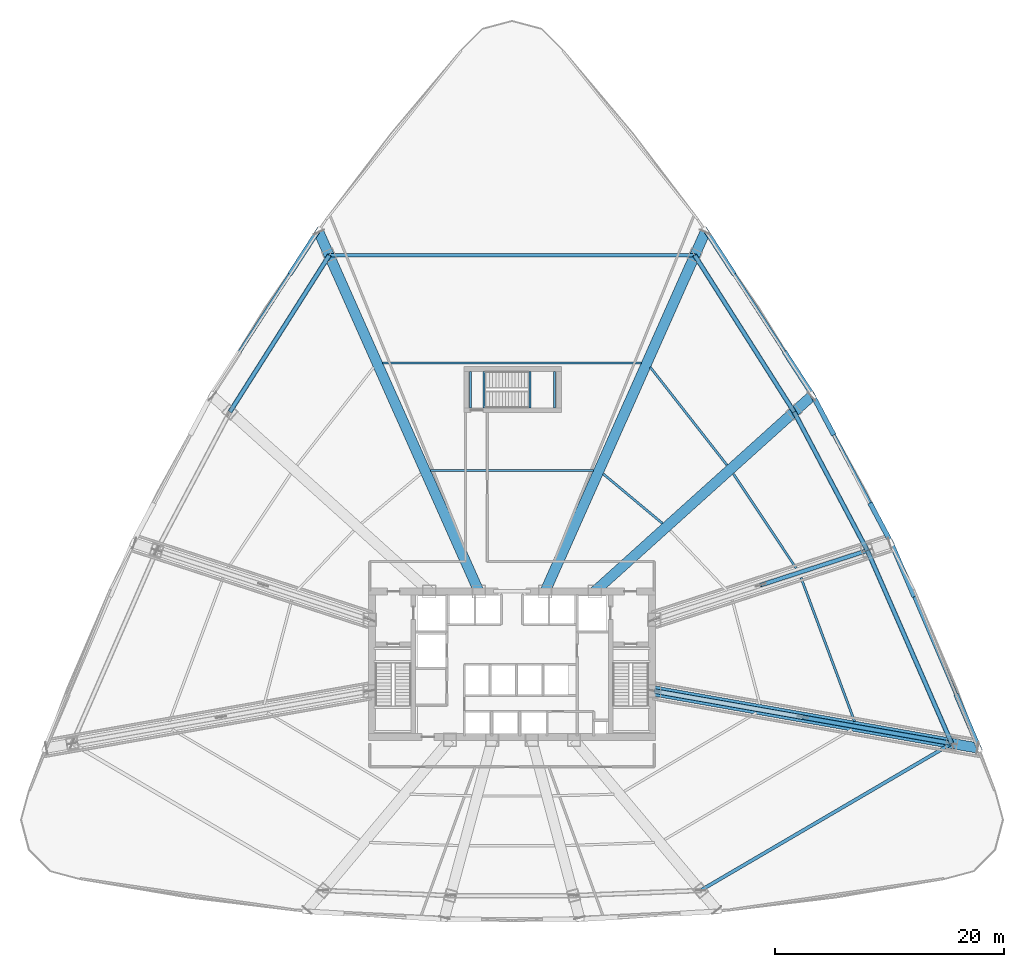
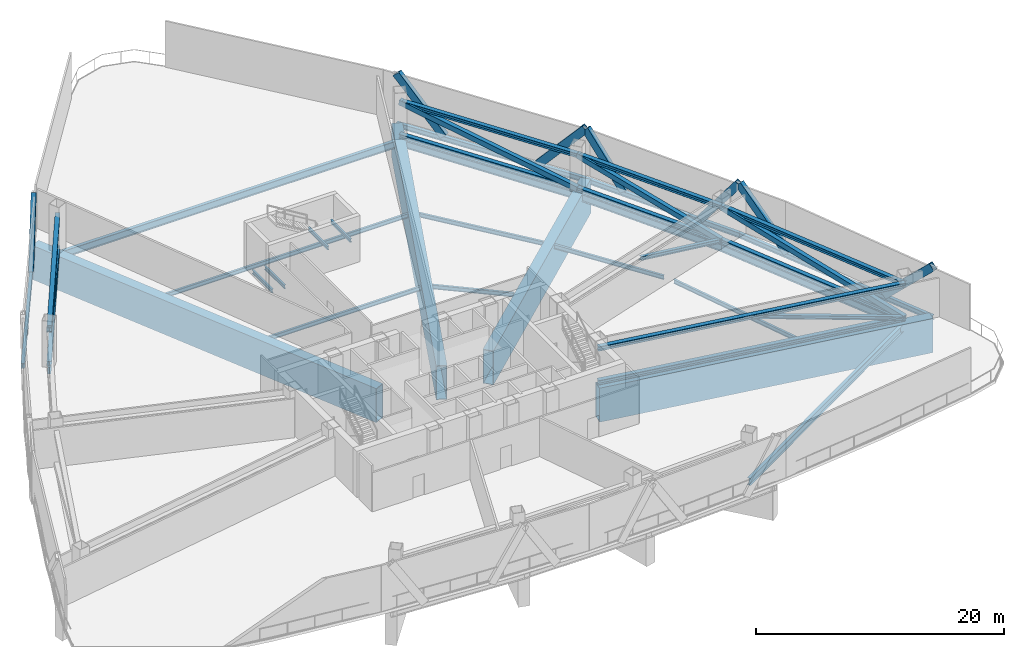
# One storey, part 3 of 17: 24 beams, 23 members.
"""IFC4 building model written with IfcOpenShell, lengths in metres."""

from ifc_helpers import new_model, si_unit, direction, frame, origin, origin_2d, place, context, subcontext, project, spatial, hollow_rectangle, i_section, extrude, source, transform, mapped, material, material_profile, profile_set, type_object, element, save


model = new_model("IFC4")

# Units and contexts
model_context = context("Model", 3, precision=1e-05, world=origin(), true_north=direction((0.0, 1.0)))
body_context = subcontext(model_context, "Body", "Model", "MODEL_VIEW")
ifc_project = project(units=[si_unit("LENGTHUNIT", "METRE"), si_unit("AREAUNIT", "SQUARE_METRE"), si_unit("VOLUMEUNIT", "CUBIC_METRE"), si_unit("PLANEANGLEUNIT", "RADIAN"), si_unit("MASSUNIT", "GRAM", prefix="KILO"), si_unit("THERMODYNAMICTEMPERATUREUNIT", "KELVIN"), si_unit("POWERUNIT", "WATT")], contexts=[model_context])

# Site, building, storey
site_placement = place(None, origin())
site = spatial("IfcSite", under=ifc_project, at=site_placement, CompositionType="ELEMENT")
building_placement = place(site_placement, origin())
building = spatial("IfcBuilding", under=site, at=building_placement, Name="Yunzhuo Pagoda Commons", CompositionType="ELEMENT")
storey_placement = place(building_placement, frame((0.0, 0.0, 76.3798828125)))
storey = spatial("IfcBuildingStorey", under=building, at=storey_placement, Name="L19", CompositionType="ELEMENT", Elevation=76.3798828125)

# Beams
ifc_material_1 = material(Name="Structural steel Q355B", Category="steel")
ifc_material_profile_1 = material_profile(ifc_material_1, i_section(OverallWidth=0.175048828125, OverallDepth=0.35009765625, WebThickness=0.007080078125, FlangeThickness=0.010986328125, at=origin_2d()), Name="Structural steel Q355B")
ifc_profile_set_1 = profile_set([ifc_material_profile_1], Name="Structural steel Q355B")
beam_type_1 = type_object("IfcBeamType", Name="B-JS2 Joist HN 350x175x7x11", PredefinedType="JOIST", material=ifc_profile_set_1)
shared_shape_1 = source(origin(), body_context, "Body", "SweptSolid", [
    extrude(i_section(OverallWidth=0.175048828125, OverallDepth=0.35009765625, WebThickness=0.007080078125, FlangeThickness=0.010986328125, at=origin_2d()), origin(), (0.0, 0.0, 1.0), 3.199951171875),
])
for number, where, z_axis, x_axis, name in (
    (1, (49.590087890625, 56.199951171875, 2.025146484375), (0.0, 1.0, 0.0), (-1.0, 0.0, 0.0), "L19 ST3 landing support beam 25A"),
    (2, (51.699951171875, 56.199951171875, 2.025146484375), (0.0, 1.0, 0.0), (-1.0, 0.0, 0.0), "L19 ST3 landing support beam 25B"),
    (3, (44.39990234375, 56.199951171875, -0.375), (0.0, 1.0, 0.0), (-1.0, 0.0, 0.0), "L19 ST3 landing support beam 93A"),
    (4, (45.550048828125, 56.199951171875, -0.375), (0.0, 1.0, 0.0), (-1.0, 0.0, 0.0), "L19 ST3 landing support beam 93B"),
):
    element("IfcBeam", number, at=place(storey_placement, frame(where, z_axis=z_axis, x_axis=x_axis)), inside=storey, type_object=beam_type_1, Name=name, PredefinedType="JOIST", context=body_context, shape_type="MappedRepresentation", body=[
        mapped(shared_shape_1, transform((0.0, 0.0, 0.0), scale=1.0)),
    ])
ifc_material_2 = material(Name="Structural steel Q420B", Category="steel")
ifc_material_profile_2 = material_profile(ifc_material_2, hollow_rectangle(XDim=0.89990234375, YDim=3.35009765625, WallThickness=0.048095703125, at=origin_2d()), Name="Structural steel Q420B")
ifc_profile_set_2 = profile_set([ifc_material_profile_2], Name="Structural steel Q420B")
beam_type_2 = type_object("IfcBeamType", Name="BTR-2 Beam BOX 3350x900x48", PredefinedType="BEAM", material=ifc_profile_set_2)
shared_shape_2 = source(origin(), body_context, "Body", "SweptSolid", [
    extrude(hollow_rectangle(XDim=0.89990234375, YDim=3.35009765625, WallThickness=0.048095703125, at=origin_2d()), origin(), (0.0, 0.0, 1.0), 28.625),
])
beam_1_placement = place(storey_placement, frame((88.590087890625, 26.54296875, -1.954833984375), z_axis=(-0.984809134913, 0.173640340337, 0.0), x_axis=(-0.173640340337, -0.984809134913, 0.0)))
element("IfcBeam", 5, at=beam_1_placement, inside=storey, type_object=beam_type_2, Name="BTR-2 L19 collinear transfer girder F2C1", PredefinedType="BEAM", context=body_context, shape_type="MappedRepresentation", body=[
    mapped(shared_shape_2, transform((0.0, 0.0, 0.0), scale=1.0)),
])
shared_shape_3 = source(origin(), body_context, "Body", "SweptSolid", [
    extrude(hollow_rectangle(XDim=0.89990234375, YDim=3.35009765625, WallThickness=0.048095703125, at=origin_2d()), origin(), (0.0, 0.0, 1.0), 25.4130859375),
])
beam_2_placement = place(storey_placement, frame((74.1044921875, 57.20458984375, -1.954833984375), z_axis=(-0.743143654342, -0.669131907034, 0.0), x_axis=(0.669131907034, -0.743143654342, 0.0)))
element("IfcBeam", 6, at=beam_2_placement, inside=storey, type_object=beam_type_2, Name="BTR-2 L19 collinear transfer girder F2C3", PredefinedType="BEAM", context=body_context, shape_type="MappedRepresentation", body=[
    mapped(shared_shape_3, transform((0.0, 0.0, 0.0), scale=1.0)),
])
shared_shape_4 = source(origin(), body_context, "Body", "SweptSolid", [
    extrude(hollow_rectangle(XDim=0.89990234375, YDim=3.35009765625, WallThickness=0.048095703125, at=origin_2d()), origin(), (0.0, 0.0, 1.0), 34.2900390625),
])
beam_3_placement = place(storey_placement, frame((64.84130859375, 71.525390625, -1.954833984375), z_axis=(-0.406743491902, -0.913542408318, 0.0), x_axis=(0.913542408318, -0.406743491902, 0.0)))
element("IfcBeam", 7, at=beam_3_placement, inside=storey, type_object=beam_type_2, Name="BTR-2 L19 collinear transfer girder F2C4", PredefinedType="BEAM", context=body_context, shape_type="MappedRepresentation", body=[
    mapped(shared_shape_4, transform((0.0, 0.0, 0.0), scale=1.0)),
])
shared_shape_5 = source(origin(), body_context, "Body", "SweptSolid", [
    extrude(hollow_rectangle(XDim=0.89990234375, YDim=3.35009765625, WallThickness=0.048095703125, at=origin_2d()), origin(), (0.0, 0.0, 1.0), 34.289794921875),
])
beam_4_placement = place(storey_placement, frame((31.1591796875, 71.525390625, -1.954833984375), z_axis=(0.406731607898, -0.913547699432, 0.0), x_axis=(0.913547699432, 0.406731607898, 0.0)))
element("IfcBeam", 8, at=beam_4_placement, inside=storey, type_object=beam_type_2, Name="BTR-2 L19 collinear transfer girder F3C1", PredefinedType="BEAM", context=body_context, shape_type="MappedRepresentation", body=[
    mapped(shared_shape_5, transform((0.0, 0.0, 0.0), scale=1.0)),
])
ifc_material_profile_3 = material_profile(ifc_material_1, i_section(OverallWidth=0.300048828125, OverallDepth=0.488037109375, WebThickness=0.010986328125, FlangeThickness=0.01806640625, at=origin_2d()), Name="Structural steel Q355B")
ifc_profile_set_3 = profile_set([ifc_material_profile_3], Name="Structural steel Q355B")
beam_type_3 = type_object("IfcBeamType", Name="B-SP1 Beam HM 488x300x11x18", PredefinedType="BEAM", material=ifc_profile_set_3)
shared_shape_6 = source(origin(), body_context, "Body", "SweptSolid", [
    extrude(i_section(OverallWidth=0.300048828125, OverallDepth=0.488037109375, WebThickness=0.010986328125, FlangeThickness=0.01806640625, at=origin_2d()), origin(), (0.0, 0.0, 1.0), 19.502685546875),
])
beam_5_placement = place(storey_placement, frame((88.742919921875, 26.515869140625, -0.52392578125), z_axis=(-0.393662442568, 0.91925506869, 0.0), x_axis=(-0.91925506869, -0.393662442568, 0.0)))
element("IfcBeam", 9, at=beam_5_placement, inside=storey, type_object=beam_type_3, Name="L19 facade edge spandrel beam F2.1", PredefinedType="BEAM", context=body_context, shape_type="MappedRepresentation", body=[
    mapped(shared_shape_6, transform((0.0, 0.0, 0.0), scale=1.0)),
])
shared_shape_7 = source(origin(), body_context, "Body", "SweptSolid", [
    extrude(i_section(OverallWidth=0.300048828125, OverallDepth=0.488037109375, WebThickness=0.010986328125, FlangeThickness=0.01806640625, at=origin_2d()), origin(), (0.0, 0.0, 1.0), 14.572509765625),
])
beam_6_placement = place(storey_placement, frame((81.0654296875, 44.44384765625, -0.52392578125), z_axis=(-0.469767169818, 0.882790352327, 0.0), x_axis=(-0.882790352327, -0.469767169818, 0.0)))
element("IfcBeam", 10, at=beam_6_placement, inside=storey, type_object=beam_type_3, Name="L19 facade edge spandrel beam F2.2", PredefinedType="BEAM", context=body_context, shape_type="MappedRepresentation", body=[
    mapped(shared_shape_7, transform((0.0, 0.0, 0.0), scale=1.0)),
])
shared_shape_8 = source(origin(), body_context, "Body", "SweptSolid", [
    extrude(i_section(OverallWidth=0.300048828125, OverallDepth=0.488037109375, WebThickness=0.010986328125, FlangeThickness=0.01806640625, at=origin_2d()), origin(), (0.0, 0.0, 1.0), 17.115966796875),
])
for number, where, z_axis, x_axis, name in (
    (11, (74.2197265625, 57.308349609375, -0.52392578125), (-0.544271692391, 0.83890900869, 0.0), (-0.83890900869, -0.544271692391, 0.0), "L19 facade edge spandrel beam F2.3"),
    (12, (31.095947265625, 71.6669921875, -0.52392578125), (-0.544271692391, -0.83890900869, 0.0), (0.83890900869, -0.544271692391, 0.0), "L19 facade edge spandrel beam F3.1"),
):
    element("IfcBeam", number, at=place(storey_placement, frame(where, z_axis=z_axis, x_axis=x_axis)), inside=storey, type_object=beam_type_3, Name=name, PredefinedType="BEAM", context=body_context, shape_type="MappedRepresentation", body=[
        mapped(shared_shape_8, transform((0.0, 0.0, 0.0), scale=1.0)),
    ])
ifc_material_profile_4 = material_profile(ifc_material_1, i_section(OverallWidth=0.300048828125, OverallDepth=0.699951171875, WebThickness=0.012939453125, FlangeThickness=0.02392578125, at=origin_2d()), Name="Structural steel Q355B")
ifc_profile_set_4 = profile_set([ifc_material_profile_4], Name="Structural steel Q355B")
beam_type_4 = type_object("IfcBeamType", Name="B-RG1 Beam HN 700x300x13x24", PredefinedType="BEAM", material=ifc_profile_set_4)
shared_shape_9 = source(origin(), body_context, "Body", "SweptSolid", [
    extrude(i_section(OverallWidth=0.300048828125, OverallDepth=0.699951171875, WebThickness=0.012939453125, FlangeThickness=0.02392578125, at=origin_2d()), origin(), (0.0, 0.0, 1.0), 25.3935546875),
])
beam_7_placement = place(storey_placement, frame((64.43603515625, 14.1123046875, -0.6298828125), z_axis=(0.863085207128, 0.505058338449, 0.0), x_axis=(-0.505058338449, 0.863085207128, 0.0)))
element("IfcBeam", 13, at=beam_7_placement, inside=storey, type_object=beam_type_4, Name="L19 column-ring beam 4", PredefinedType="BEAM", context=body_context, shape_type="MappedRepresentation", body=[
    mapped(shared_shape_9, transform((0.0, 0.0, 0.0), scale=1.0)),
])
shared_shape_10 = source(origin(), body_context, "Body", "SweptSolid", [
    extrude(i_section(OverallWidth=0.300048828125, OverallDepth=0.699951171875, WebThickness=0.012939453125, FlangeThickness=0.02392578125, at=origin_2d()), origin(), (0.0, 0.0, 1.0), 18.37158203125),
])
beam_8_placement = place(storey_placement, frame((86.352783203125, 26.9375, -0.6298828125), z_axis=(-0.400729599795, 0.916196369698, 0.0), x_axis=(-0.916196369698, -0.400729599795, 0.0)))
element("IfcBeam", 14, at=beam_8_placement, inside=storey, type_object=beam_type_4, Name="L19 column-ring beam 5", PredefinedType="BEAM", context=body_context, shape_type="MappedRepresentation", body=[
    mapped(shared_shape_10, transform((0.0, 0.0, 0.0), scale=1.0)),
])
ifc_material_profile_5 = material_profile(ifc_material_1, i_section(OverallWidth=0.199951171875, OverallDepth=0.39990234375, WebThickness=0.008056640625, FlangeThickness=0.012939453125, at=origin_2d()), Name="Structural steel Q355B")
ifc_profile_set_5 = profile_set([ifc_material_profile_5], Name="Structural steel Q355B")
beam_type_5 = type_object("IfcBeamType", Name="B-JS1 Joist HN 400x200x8x13", PredefinedType="JOIST", material=ifc_profile_set_5)
shared_shape_11 = source(origin(), body_context, "Body", "SweptSolid", [
    extrude(i_section(OverallWidth=0.199951171875, OverallDepth=0.39990234375, WebThickness=0.008056640625, FlangeThickness=0.012939453125, at=origin_2d()), origin(), (0.0, 0.0, 1.0), 13.38330078125),
])
beam_9_placement = place(storey_placement, frame((77.88134765625, 28.8486328125, -0.47998046875), z_axis=(-0.349171527056, 0.937058826698, 0.0), x_axis=(-0.937058826698, -0.349171527056, 0.0)))
element("IfcBeam", 15, at=beam_9_placement, inside=storey, type_object=beam_type_5, Name="L19 composite ring joist 2.5", PredefinedType="JOIST", context=body_context, shape_type="MappedRepresentation", body=[
    mapped(shared_shape_11, transform((0.0, 0.0, 0.0), scale=1.0)),
])
shared_shape_12 = source(origin(), body_context, "Body", "SweptSolid", [
    extrude(i_section(OverallWidth=0.300048828125, OverallDepth=0.699951171875, WebThickness=0.012939453125, FlangeThickness=0.02392578125, at=origin_2d()), origin(), (0.0, 0.0, 1.0), 13.66748046875),
])
beam_10_placement = place(storey_placement, frame((78.99072265625, 43.76953125, -0.6298828125), z_axis=(-0.467383716456, 0.88405455804, 0.0), x_axis=(-0.88405455804, -0.467383716456, 0.0)))
element("IfcBeam", 16, at=beam_10_placement, inside=storey, type_object=beam_type_4, Name="L19 column-ring beam 6", PredefinedType="BEAM", context=body_context, shape_type="MappedRepresentation", body=[
    mapped(shared_shape_12, transform((0.0, 0.0, 0.0), scale=1.0)),
])
shared_shape_13 = source(origin(), body_context, "Body", "SweptSolid", [
    extrude(i_section(OverallWidth=0.199951171875, OverallDepth=0.39990234375, WebThickness=0.008056640625, FlangeThickness=0.012939453125, at=origin_2d()), origin(), (0.0, 0.0, 1.0), 9.86962890625),
])
beam_11_placement = place(storey_placement, frame((72.777099609375, 42.2333984375, -0.47998046875), z_axis=(-0.554494675597, 0.832187271433, 0.0), x_axis=(-0.832187271433, -0.554494675597, 0.0)))
element("IfcBeam", 17, at=beam_11_placement, inside=storey, type_object=beam_type_5, Name="L19 composite ring joist 2.6", PredefinedType="JOIST", context=body_context, shape_type="MappedRepresentation", body=[
    mapped(shared_shape_13, transform((0.0, 0.0, 0.0), scale=1.0)),
])
shared_shape_14 = source(origin(), body_context, "Body", "SweptSolid", [
    extrude(i_section(OverallWidth=0.300048828125, OverallDepth=0.699951171875, WebThickness=0.012939453125, FlangeThickness=0.02392578125, at=origin_2d()), origin(), (0.0, 0.0, 1.0), 16.16845703125),
])
for number, where, z_axis, x_axis, name in (
    (18, (72.602783203125, 55.852294921875, -0.6298828125), (-0.535695673154, 0.844411123662, 0.0), (-0.844411123662, -0.535695673154, 0.0), "L19 column-ring beam 7"),
    (19, (32.05859375, 69.505126953125, -0.6298828125), (-0.535695673154, -0.844411123662, 0.0), (0.844411123662, -0.535695673154, 0.0), "L19 column-ring beam 9"),
):
    element("IfcBeam", number, at=place(storey_placement, frame(where, z_axis=z_axis, x_axis=x_axis)), inside=storey, type_object=beam_type_4, Name=name, PredefinedType="BEAM", context=body_context, shape_type="MappedRepresentation", body=[
        mapped(shared_shape_14, transform((0.0, 0.0, 0.0), scale=1.0)),
    ])
shared_shape_15 = source(origin(), body_context, "Body", "SweptSolid", [
    extrude(i_section(OverallWidth=0.199951171875, OverallDepth=0.39990234375, WebThickness=0.008056640625, FlangeThickness=0.012939453125, at=origin_2d()), origin(), (0.0, 0.0, 1.0), 6.71435546875),
])
beam_12_placement = place(storey_placement, frame((61.111083984375, 46.140625, -0.47998046875), z_axis=(-0.767589051667, 0.640942312351, 0.0), x_axis=(-0.640942312351, -0.767589051667, 0.0)))
element("IfcBeam", 20, at=beam_12_placement, inside=storey, type_object=beam_type_5, Name="L19 composite ring joist 1.7", PredefinedType="JOIST", context=body_context, shape_type="MappedRepresentation", body=[
    mapped(shared_shape_15, transform((0.0, 0.0, 0.0), scale=1.0)),
])
shared_shape_16 = source(origin(), body_context, "Body", "SweptSolid", [
    extrude(i_section(OverallWidth=0.199951171875, OverallDepth=0.39990234375, WebThickness=0.008056640625, FlangeThickness=0.012939453125, at=origin_2d()), origin(), (0.0, 0.0, 1.0), 10.83984375),
])
beam_13_placement = place(storey_placement, frame((66.745849609375, 51.218994140625, -0.47998046875), z_axis=(-0.616727806891, 0.787176480979, 0.0), x_axis=(-0.787176480979, -0.616727806891, 0.0)))
element("IfcBeam", 21, at=beam_13_placement, inside=storey, type_object=beam_type_5, Name="L19 composite ring joist 2.7", PredefinedType="JOIST", context=body_context, shape_type="MappedRepresentation", body=[
    mapped(shared_shape_16, transform((0.0, 0.0, 0.0), scale=1.0)),
])
shared_shape_17 = source(origin(), body_context, "Body", "SweptSolid", [
    extrude(i_section(OverallWidth=0.300048828125, OverallDepth=0.699951171875, WebThickness=0.012939453125, FlangeThickness=0.02392578125, at=origin_2d()), origin(), (0.0, 0.0, 1.0), 31.8828125),
])
beam_14_placement = place(storey_placement, frame((63.94140625, 69.505126953125, -0.6298828125), z_axis=(-1.0, 0.0, 0.0), x_axis=(0.0, -1.0, 0.0)))
element("IfcBeam", 22, at=beam_14_placement, inside=storey, type_object=beam_type_4, Name="L19 column-ring beam 8", PredefinedType="BEAM", context=body_context, shape_type="MappedRepresentation", body=[
    mapped(shared_shape_17, transform((0.0, 0.0, 0.0), scale=1.0)),
])
shared_shape_18 = source(origin(), body_context, "Body", "SweptSolid", [
    extrude(i_section(OverallWidth=0.199951171875, OverallDepth=0.39990234375, WebThickness=0.008056640625, FlangeThickness=0.012939453125, at=origin_2d()), origin(), (0.0, 0.0, 1.0), 14.22802734375),
])
beam_15_placement = place(storey_placement, frame((55.114013671875, 50.749755859375, -0.47998046875), z_axis=(-1.0, 0.0, 0.0), x_axis=(0.0, -1.0, 0.0)))
element("IfcBeam", 23, at=beam_15_placement, inside=storey, type_object=beam_type_5, Name="L19 composite ring joist 1.8", PredefinedType="JOIST", context=body_context, shape_type="MappedRepresentation", body=[
    mapped(shared_shape_18, transform((0.0, 0.0, 0.0), scale=1.0)),
])
shared_shape_19 = source(origin(), body_context, "Body", "SweptSolid", [
    extrude(i_section(OverallWidth=0.199951171875, OverallDepth=0.39990234375, WebThickness=0.008056640625, FlangeThickness=0.012939453125, at=origin_2d()), origin(), (0.0, 0.0, 1.0), 22.57861328125),
])
beam_16_placement = place(storey_placement, frame((59.289306640625, 60.12744140625, -0.47998046875), z_axis=(-1.0, 0.0, 0.0), x_axis=(0.0, -1.0, 0.0)))
element("IfcBeam", 24, at=beam_16_placement, inside=storey, type_object=beam_type_5, Name="L19 composite ring joist 2.8", PredefinedType="JOIST", context=body_context, shape_type="MappedRepresentation", body=[
    mapped(shared_shape_19, transform((0.0, 0.0, 0.0), scale=1.0)),
])

# Members
ifc_material_profile_6 = material_profile(ifc_material_2, i_section(OverallWidth=0.406982421875, OverallDepth=0.427978515625, WebThickness=0.02001953125, FlangeThickness=0.034912109375, at=origin_2d()), Name="Structural steel Q420B")
ifc_profile_set_6 = profile_set([ifc_material_profile_6], Name="Structural steel Q420B")
member_type_1 = type_object("IfcMemberType", Name="M-OTC Chord HW 428x407x20x35", PredefinedType="CHORD", material=ifc_profile_set_6)
shared_shape_20 = source(origin(), body_context, "Body", "SweptSolid", [
    extrude(i_section(OverallWidth=0.406982421875, OverallDepth=0.427978515625, WebThickness=0.02001953125, FlangeThickness=0.034912109375, at=origin_2d()), origin(), (0.0, 0.0, 1.0), 26.353271484375),
])
for number, where, z_axis, x_axis, name in (
    (25, (60.39990234375, 31.513427734375, 0.070068359375), (0.98480947511, -0.173638410882, 0.0), (0.173638410882, 0.98480947511, 0.0), "L19 outrigger bottom chord F2C1"),
    (26, (60.39990234375, 31.513427734375, 3.390380859375), (0.98480947511, -0.173638410882, 0.0), (0.173638410882, 0.98480947511, 0.0), "L19 outrigger top chord F2C1"),
):
    element("IfcMember", number, at=place(storey_placement, frame(where, z_axis=z_axis, x_axis=x_axis)), inside=storey, type_object=member_type_1, Name=name, PredefinedType="CHORD", context=body_context, shape_type="MappedRepresentation", body=[
        mapped(shared_shape_20, transform((0.0, 0.0, 0.0), scale=1.0)),
    ])
ifc_material_profile_7 = material_profile(ifc_material_2, i_section(OverallWidth=0.35009765625, OverallDepth=0.35009765625, WebThickness=0.011962890625, FlangeThickness=0.01904296875, at=origin_2d()), Name="Structural steel Q420B")
ifc_profile_set_7 = profile_set([ifc_material_profile_7], Name="Structural steel Q420B")
member_type_2 = type_object("IfcMemberType", Name="M-OTB Brace HW 350x350x12x19", PredefinedType="BRACE", material=ifc_profile_set_7)
shared_shape_21 = source(origin(), body_context, "Body", "SweptSolid", [
    extrude(i_section(OverallWidth=0.35009765625, OverallDepth=0.35009765625, WebThickness=0.011962890625, FlangeThickness=0.01904296875, at=origin_2d()), origin(), (0.0, 0.0, 1.0), 13.58837890625),
])
member_1_placement = place(storey_placement, frame((73.37646484375, 29.2255859375, 3.390380859375), z_axis=(0.954955483782, -0.168385219356, -0.244349016565), x_axis=(0.173648979988, 0.984807611541, 0.0)))
element("IfcMember", 27, at=member_1_placement, inside=storey, type_object=member_type_2, Name="L19 outrigger diagonal brace F2C1B", PredefinedType="BRACE", context=body_context, shape_type="MappedRepresentation", body=[
    mapped(shared_shape_21, transform((0.0, 0.0, 0.0), scale=1.0)),
])
shared_shape_22 = source(origin(), body_context, "Body", "SweptSolid", [
    extrude(i_section(OverallWidth=0.35009765625, OverallDepth=0.35009765625, WebThickness=0.011962890625, FlangeThickness=0.01904296875, at=origin_2d()), origin(), (0.0, 0.0, 1.0), 10.322021484375),
])
member_2_placement = place(storey_placement, frame((69.695556640625, 40.749267578125, 3.390380859375), z_axis=(0.900507627799, 0.292600526975, -0.321668997402), x_axis=(-0.309024504863, 0.951054075957, 0.0)))
element("IfcMember", 28, at=member_2_placement, inside=storey, type_object=member_type_2, Name="L19 outrigger diagonal brace F2C2B", PredefinedType="BRACE", context=body_context, shape_type="MappedRepresentation", body=[
    mapped(shared_shape_22, transform((0.0, 0.0, 0.0), scale=1.0)),
])
ifc_material_profile_8 = material_profile(ifc_material_2, i_section(OverallWidth=0.39990234375, OverallDepth=0.39990234375, WebThickness=0.012939453125, FlangeThickness=0.02099609375, at=origin_2d()), Name="Structural steel Q420B")
ifc_profile_set_8 = profile_set([ifc_material_profile_8], Name="Structural steel Q420B")
member_type_3 = type_object("IfcMemberType", Name="M-BTC Chord HW 400x400x13x21", PredefinedType="CHORD", material=ifc_profile_set_8)
shared_shape_23 = source(origin(), body_context, "Body", "SweptSolid", [
    extrude(i_section(OverallWidth=0.39990234375, OverallDepth=0.39990234375, WebThickness=0.012939453125, FlangeThickness=0.02099609375, at=origin_2d()), origin(), (0.0, 0.0, 1.0), 18.37158203125),
])
for number, where, z_axis, x_axis, name in (
    (29, (86.352783203125, 26.9375, 0.070068359375), (-0.400729599795, 0.916196369698, 0.0), (-0.916196369698, -0.400729599795, 0.0), "L19 belt truss bottom chord 5"),
    (30, (86.352783203125, 26.9375, 3.390380859375), (-0.400729599795, 0.916196369698, 0.0), (-0.916196369698, -0.400729599795, 0.0), "L19 belt truss top chord 5"),
):
    element("IfcMember", number, at=place(storey_placement, frame(where, z_axis=z_axis, x_axis=x_axis)), inside=storey, type_object=member_type_3, Name=name, PredefinedType="CHORD", context=body_context, shape_type="MappedRepresentation", body=[
        mapped(shared_shape_23, transform((0.0, 0.0, 0.0), scale=1.0)),
    ])
ifc_material_profile_9 = material_profile(ifc_material_2, hollow_rectangle(XDim=0.39990234375, YDim=0.5, WallThickness=0.02392578125, at=origin_2d()), Name="Structural steel Q420B")
ifc_profile_set_9 = profile_set([ifc_material_profile_9], Name="Structural steel Q420B")
member_type_4 = type_object("IfcMemberType", Name="M-BTB Brace RHS 500x400x24", PredefinedType="BRACE", material=ifc_profile_set_9)
shared_shape_24 = source(origin(), body_context, "Body", "SweptSolid", [
    extrude(hollow_rectangle(XDim=0.39990234375, YDim=0.5, WallThickness=0.02392578125, at=origin_2d()), origin(), (0.0, 0.0, 1.0), 18.669189453125),
])
member_3_placement = place(storey_placement, frame((86.352783203125, 26.9375, 0.070068359375), z_axis=(-0.394341079186, 0.901590162939, 0.177849069041), x_axis=(-0.916196369698, -0.400729599795, 0.0)))
element("IfcMember", 31, at=member_3_placement, inside=storey, type_object=member_type_4, Name="L19 belt truss diagonal brace 5A", PredefinedType="BRACE", context=body_context, shape_type="MappedRepresentation", body=[
    mapped(shared_shape_24, transform((0.0, 0.0, 0.0), scale=1.0)),
])
shared_shape_25 = source(origin(), body_context, "Body", "SweptSolid", [
    extrude(i_section(OverallWidth=0.39990234375, OverallDepth=0.39990234375, WebThickness=0.012939453125, FlangeThickness=0.02099609375, at=origin_2d()), origin(), (0.0, 0.0, 1.0), 13.66748046875),
])
for number, where, z_axis, x_axis, name in (
    (32, (78.99072265625, 43.76953125, 0.070068359375), (-0.467383716456, 0.88405455804, 0.0), (-0.88405455804, -0.467383716456, 0.0), "L19 belt truss bottom chord 6"),
    (33, (78.99072265625, 43.76953125, 3.390380859375), (-0.467383716456, 0.88405455804, 0.0), (-0.88405455804, -0.467383716456, 0.0), "L19 belt truss top chord 6"),
):
    element("IfcMember", number, at=place(storey_placement, frame(where, z_axis=z_axis, x_axis=x_axis)), inside=storey, type_object=member_type_3, Name=name, PredefinedType="CHORD", context=body_context, shape_type="MappedRepresentation", body=[
        mapped(shared_shape_25, transform((0.0, 0.0, 0.0), scale=1.0)),
    ])
shared_shape_26 = source(origin(), body_context, "Body", "SweptSolid", [
    extrude(hollow_rectangle(XDim=0.39990234375, YDim=0.5, WallThickness=0.02392578125, at=origin_2d()), origin(), (0.0, 0.0, 1.0), 14.06494140625),
])
member_4_placement = place(storey_placement, frame((78.99072265625, 43.76953125, 0.070068359375), z_axis=(-0.454173650459, 0.859067767431, 0.236069621488), x_axis=(-0.88405455804, -0.467383716456, 0.0)))
element("IfcMember", 34, at=member_4_placement, inside=storey, type_object=member_type_4, Name="L19 belt truss diagonal brace 6A", PredefinedType="BRACE", context=body_context, shape_type="MappedRepresentation", body=[
    mapped(shared_shape_26, transform((0.0, 0.0, 0.0), scale=1.0)),
])
shared_shape_27 = source(origin(), body_context, "Body", "SweptSolid", [
    extrude(i_section(OverallWidth=0.39990234375, OverallDepth=0.39990234375, WebThickness=0.012939453125, FlangeThickness=0.02099609375, at=origin_2d()), origin(), (0.0, 0.0, 1.0), 16.16845703125),
])
for number, where, z_axis, x_axis, name in (
    (35, (72.602783203125, 55.852294921875, 0.070068359375), (-0.535695673154, 0.844411123662, 0.0), (-0.844411123662, -0.535695673154, 0.0), "L19 belt truss bottom chord 7"),
    (36, (72.602783203125, 55.852294921875, 3.390380859375), (-0.535695673154, 0.844411123662, 0.0), (-0.844411123662, -0.535695673154, 0.0), "L19 belt truss top chord 7"),
    (37, (32.05859375, 69.505126953125, 0.070068359375), (-0.535695673154, -0.844411123662, 0.0), (0.844411123662, -0.535695673154, 0.0), "L19 belt truss bottom chord 9"),
    (38, (32.05859375, 69.505126953125, 3.390380859375), (-0.535695673154, -0.844411123662, 0.0), (0.844411123662, -0.535695673154, 0.0), "L19 belt truss top chord 9"),
):
    element("IfcMember", number, at=place(storey_placement, frame(where, z_axis=z_axis, x_axis=x_axis)), inside=storey, type_object=member_type_3, Name=name, PredefinedType="CHORD", context=body_context, shape_type="MappedRepresentation", body=[
        mapped(shared_shape_27, transform((0.0, 0.0, 0.0), scale=1.0)),
    ])
shared_shape_28 = source(origin(), body_context, "Body", "SweptSolid", [
    extrude(hollow_rectangle(XDim=0.39990234375, YDim=0.5, WallThickness=0.02392578125, at=origin_2d()), origin(), (0.0, 0.0, 1.0), 16.505859375),
])
for number, where, z_axis, x_axis, name in (
    (39, (72.602783203125, 55.852294921875, 0.070068359375), (-0.524745250757, 0.827150094789, 0.201159495174), (-0.844411123662, -0.535695673154, 0.0), "L19 belt truss diagonal brace 7A"),
    (40, (32.05859375, 69.505126953125, 0.070068359375), (-0.524745250757, -0.827150094789, 0.201159495174), (0.844411123662, -0.535695673154, 0.0), "L19 belt truss diagonal brace 9A"),
):
    element("IfcMember", number, at=place(storey_placement, frame(where, z_axis=z_axis, x_axis=x_axis)), inside=storey, type_object=member_type_4, Name=name, PredefinedType="BRACE", context=body_context, shape_type="MappedRepresentation", body=[
        mapped(shared_shape_28, transform((0.0, 0.0, 0.0), scale=1.0)),
    ])
ifc_material_profile_10 = material_profile(ifc_material_2, hollow_rectangle(XDim=0.419921875, YDim=0.719970703125, WallThickness=0.028076171875, at=origin_2d()), Name="Structural steel Q420B")
ifc_profile_set_10 = profile_set([ifc_material_profile_10], Name="Structural steel Q420B")
member_type_5 = type_object("IfcMemberType", Name="M-DL1 Brace BOX 720x420x28", PredefinedType="BRACE", material=ifc_profile_set_10)
shared_shape_29 = source(origin(), body_context, "Body", "SweptSolid", [
    extrude(hollow_rectangle(XDim=0.419921875, YDim=0.719970703125, WallThickness=0.028076171875, at=origin_2d()), origin(), (0.0, 0.0, 1.0), 6.85595703125),
])
for number, where, z_axis, x_axis, name in (
    (41, (86.823486328125, 30.997802734375, -0.27978515625), (0.279970243696, -0.653738709459, 0.703023728191), (0.919248598495, 0.393677551006, 0.0), "L19 facade diamond brace F2.1L"),
    (42, (82.984619140625, 39.961669921875, -0.27978515625), (-0.279930906893, 0.653765617561, 0.703014370167), (-0.919274477274, -0.393617117809, 0.0), "L19 facade diamond brace F2.1R"),
):
    element("IfcMember", number, at=place(storey_placement, frame(where, z_axis=z_axis, x_axis=x_axis)), inside=storey, type_object=member_type_5, Name=name, PredefinedType="BRACE", context=body_context, shape_type="MappedRepresentation", body=[
        mapped(shared_shape_29, transform((0.0, 0.0, 0.0), scale=1.0)),
    ])
shared_shape_30 = source(origin(), body_context, "Body", "SweptSolid", [
    extrude(hollow_rectangle(XDim=0.419921875, YDim=0.719970703125, WallThickness=0.028076171875, at=origin_2d()), origin(), (0.0, 0.0, 1.0), 6.04150390625),
])
member_5_placement = place(storey_placement, frame((79.35400390625, 47.65966796875, -0.27978515625), z_axis=(0.283272616534, -0.532277732522, 0.797770042169), x_axis=(0.882771864402, 0.46980191083, 0.0)))
element("IfcMember", 43, at=member_5_placement, inside=storey, type_object=member_type_5, Name="L19 facade diamond brace F2.2L", PredefinedType="BRACE", context=body_context, shape_type="MappedRepresentation", body=[
    mapped(shared_shape_30, transform((0.0, 0.0, 0.0), scale=1.0)),
])
shared_shape_31 = source(origin(), body_context, "Body", "SweptSolid", [
    extrude(hollow_rectangle(XDim=0.419921875, YDim=0.719970703125, WallThickness=0.028076171875, at=origin_2d()), origin(), (0.0, 0.0, 1.0), 6.041748046875),
])
member_6_placement = place(storey_placement, frame((75.93115234375, 54.09228515625, -0.27978515625), z_axis=(-0.283266523523, 0.532306692492, 0.797752882652), x_axis=(-0.88278665507, -0.469774117668, 0.0)))
element("IfcMember", 44, at=member_6_placement, inside=storey, type_object=member_type_5, Name="L19 facade diamond brace F2.2R", PredefinedType="BRACE", context=body_context, shape_type="MappedRepresentation", body=[
    mapped(shared_shape_31, transform((0.0, 0.0, 0.0), scale=1.0)),
])
shared_shape_32 = source(origin(), body_context, "Body", "SweptSolid", [
    extrude(hollow_rectangle(XDim=0.419921875, YDim=0.719970703125, WallThickness=0.028076171875, at=origin_2d()), origin(), (0.0, 0.0, 1.0), 6.4453125),
])
member_7_placement = place(storey_placement, frame((71.890869140625, 60.898193359375, -0.27978515625), z_axis=(0.361329204933, -0.556975010938, 0.747810164984), x_axis=(0.838928196846, 0.544242115732, 0.0)))
element("IfcMember", 45, at=member_7_placement, inside=storey, type_object=member_type_5, Name="L19 facade diamond brace F2.3L", PredefinedType="BRACE", context=body_context, shape_type="MappedRepresentation", body=[
    mapped(shared_shape_32, transform((0.0, 0.0, 0.0), scale=1.0)),
])
shared_shape_33 = source(origin(), body_context, "Body", "SweptSolid", [
    extrude(hollow_rectangle(XDim=0.419921875, YDim=0.719970703125, WallThickness=0.028076171875, at=origin_2d()), origin(), (0.0, 0.0, 1.0), 6.445068359375),
])
for number, where, z_axis, x_axis, name in (
    (46, (67.23291015625, 68.077392578125, -0.27978515625), (-0.361336828144, 0.556948881875, 0.747825942051), (-0.838911296143, -0.544268166627, 0.0), "L19 facade diamond brace F2.3R"),
    (47, (28.76708984375, 68.077392578125, -0.27978515625), (0.361336828144, 0.556948881875, 0.747825942051), (-0.838911296143, 0.544268166627, 0.0), "L19 facade diamond brace F3.1L"),
):
    element("IfcMember", number, at=place(storey_placement, frame(where, z_axis=z_axis, x_axis=x_axis)), inside=storey, type_object=member_type_5, Name=name, PredefinedType="BRACE", context=body_context, shape_type="MappedRepresentation", body=[
        mapped(shared_shape_33, transform((0.0, 0.0, 0.0), scale=1.0)),
    ])

save(model, "model.ifc")
